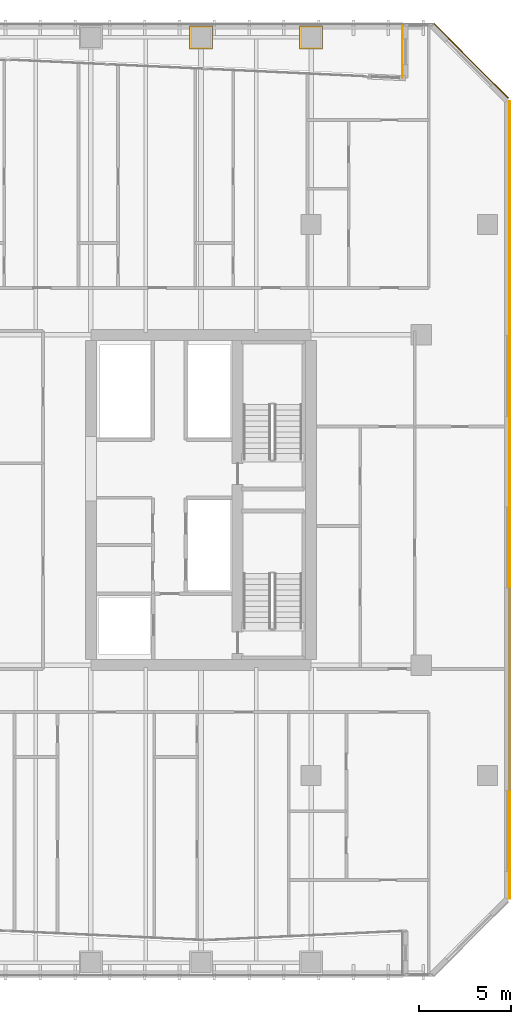
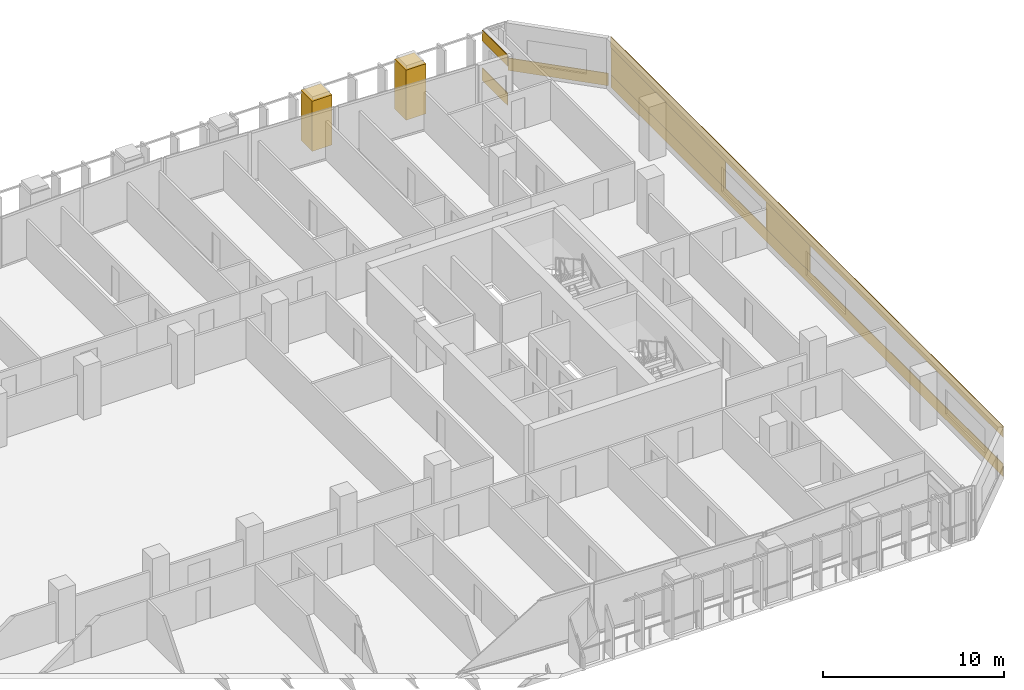
# One storey, part 31 of 31: 9 coverings.
"""IFC4 building model written with IfcOpenShell, lengths in metres."""

from ifc_helpers import new_model, si_unit, direction, frame, origin, origin_2d, place, context, subcontext, project, spatial, rectangle, extrude, material, layer, layer_set, type_object, element, save


model = new_model("IFC4")

# Units and contexts
model_context = context("Model", 3, precision=1e-05, world=origin(), true_north=direction((0.0, 1.0)))
body_context = subcontext(model_context, "Body", "Model", "MODEL_VIEW")
ifc_project = project(units=[si_unit("LENGTHUNIT", "METRE"), si_unit("AREAUNIT", "SQUARE_METRE"), si_unit("VOLUMEUNIT", "CUBIC_METRE"), si_unit("PLANEANGLEUNIT", "RADIAN"), si_unit("MASSUNIT", "GRAM", prefix="KILO")], contexts=[model_context])

# Site, building, storey
site_placement = place(None, origin())
site = spatial("IfcSite", under=ifc_project, at=site_placement, CompositionType="ELEMENT")
building_placement = place(site_placement, origin())
building = spatial("IfcBuilding", under=site, at=building_placement, Name="Tanjung Sevakor Pilgrim Tower", CompositionType="ELEMENT")
storey_placement = place(building_placement, frame((0.0, 0.0, 58.739990234375)))
storey = spatial("IfcBuildingStorey", under=building, at=storey_placement, Name="L16", CompositionType="ELEMENT", Elevation=58.739990234375)

# Coverings
ifc_material = material(Name="Reconstructed Limestone Cladding", Category="masonry")
ifc_layer = layer(ifc_material, 0.044921875)
ifc_layer_set = layer_set([ifc_layer], Name="COV-CLAD-LIMESTONE")
covering_type = type_object("IfcCoveringType", Name="COV-CLAD-LIMESTONE", PredefinedType="CLADDING", material=ifc_layer_set)
covering_1_placement = place(storey_placement, frame((100.822509765625, 33.60009765625, 0.009765625), z_axis=(0.0, 0.0, 1.0), x_axis=(0.0, 1.0, 0.0)))
element("IfcCovering", 1, at=covering_1_placement, inside=storey, type_object=covering_type, Name="L16 Warm Limestone Sill Spandrel EW-L16-MAIN-17-1", PredefinedType="CLADDING", context=body_context, shape_type="SweptSolid", body=[
    extrude(rectangle(XDim=43.404052734375, YDim=0.044921875, at=origin_2d()), origin(), (0.0, 0.0, 1.0), 0.840087890625),
])
covering_2_placement = place(storey_placement, frame((100.822509765625, 33.60009765625, 2.66015625), z_axis=(0.0, 0.0, 1.0), x_axis=(0.0, 1.0, 0.0)))
element("IfcCovering", 2, at=covering_2_placement, inside=storey, type_object=covering_type, Name="L16 Warm Limestone Cornice Spandrel EW-L16-MAIN-17", PredefinedType="CLADDING", context=body_context, shape_type="SweptSolid", body=[
    extrude(rectangle(XDim=43.444091796875, YDim=0.044921875, at=origin_2d()), origin(), (0.0, 0.0, 1.0), 0.739990234375),
])
covering_3_placement = place(storey_placement, frame((100.822509765625, 35.679931640625, 0.85009765625), z_axis=(0.0, 0.0, 1.0), x_axis=(0.0, 1.0, 0.0)))
element("IfcCovering", 3, at=covering_3_placement, inside=storey, type_object=covering_type, Name="L16 Warm Limestone Pier Panel EW-L16-MAIN-17-2", PredefinedType="CLADDING", context=body_context, shape_type="SweptSolid", body=[
    extrude(rectangle(XDim=4.840087890625, YDim=0.044921875, at=origin_2d()), origin(), (0.0, 0.0, 1.0), 1.81005859375),
])
covering_4_placement = place(storey_placement, frame((100.822509765625, 48.950927734375, 0.85009765625), z_axis=(0.0, 0.0, 1.0), x_axis=(0.0, 1.0, 0.0)))
element("IfcCovering", 4, at=covering_4_placement, inside=storey, type_object=covering_type, Name="L16 Warm Limestone Pier Panel EW-L16-MAIN-17-3", PredefinedType="CLADDING", context=body_context, shape_type="SweptSolid", body=[
    extrude(rectangle(XDim=12.701904296875, YDim=0.044921875, at=origin_2d()), origin(), (0.0, 0.0, 1.0), 1.81005859375),
])
covering_5_placement = place(storey_placement, frame((98.7158203125, 57.515869140625, 0.009765625), z_axis=(0.0, 0.0, 1.0), x_axis=(-0.707106781187, 0.707106781187, 0.0)))
element("IfcCovering", 5, at=covering_5_placement, inside=storey, type_object=covering_type, Name="L16 Warm Limestone Sill Spandrel EW-CHM-L16-MAIN-17-1", PredefinedType="CLADDING", context=body_context, shape_type="SweptSolid", body=[
    extrude(rectangle(XDim=5.74365234375, YDim=0.044921875, at=origin_2d()), origin(), (0.0, 0.0, 1.0), 0.840087890625),
])
covering_6_placement = place(storey_placement, frame((94.9775390625, 58.0166015625, 0.009765625), z_axis=(0.0, 0.0, 1.0), x_axis=(0.0, -1.0, 0.0)))
element("IfcCovering", 6, at=covering_6_placement, inside=storey, type_object=covering_type, Name="L16 Warm Limestone Sill Spandrel EW-L16-MAIN-20-1", PredefinedType="CLADDING", context=body_context, shape_type="SweptSolid", body=[
    extrude(rectangle(XDim=2.806640625, YDim=0.044921875, at=origin_2d()), origin(), (0.0, 0.0, 1.0), 0.840087890625),
])
covering_7_placement = place(storey_placement, frame((94.9775390625, 58.0166015625, 2.66015625), z_axis=(0.0, 0.0, 1.0), x_axis=(0.0, -1.0, 0.0)))
element("IfcCovering", 7, at=covering_7_placement, inside=storey, type_object=covering_type, Name="L16 Warm Limestone Cornice Spandrel EW-L16-MAIN-20", PredefinedType="CLADDING", context=body_context, shape_type="SweptSolid", body=[
    extrude(rectangle(XDim=2.8466796875, YDim=0.044921875, at=origin_2d()), origin(), (0.0, 0.0, 1.0), 0.739990234375),
])
for number, where, z_axis, x_axis, name in (
    (8, (84.0, 58.800048828125, 0.01025390625), (0.0, 0.0, 1.0), (1.0, 0.0, 0.0), "L16 Colonnade Pier Limestone Casing 44"),
    (9, (90.0, 58.800048828125, 0.01025390625), (0.0, 0.0, 1.0), (1.0, 0.0, 0.0), "L16 Colonnade Pier Limestone Casing 46"),
):
    element("IfcCovering", number, at=place(storey_placement, frame(where, z_axis=z_axis, x_axis=x_axis)), inside=storey, type_object=covering_type, Name=name, PredefinedType="CLADDING", context=body_context, shape_type="SweptSolid", body=[
        extrude(rectangle(XDim=1.260009765625, YDim=1.260009765625, at=origin_2d()), origin(), (0.0, 0.0, 1.0), 3.389892578125),
    ])

save(model, "model.ifc")
